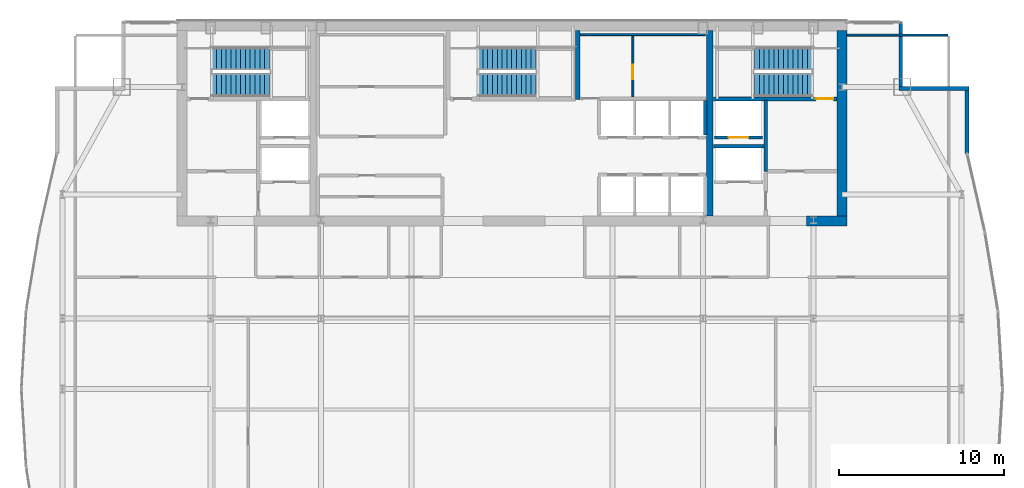
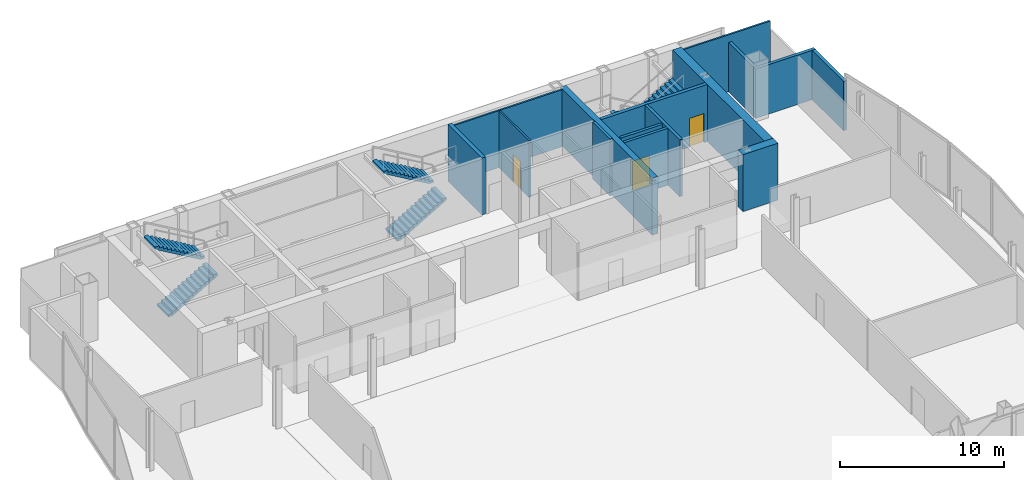
# One storey, part 26 of 28: 15 walls, 6 stair flights, 3 doors, 3 openings, 3 elements without a shape of their own.
"""IFC4 building model written with IfcOpenShell, lengths in metres."""

from ifc_helpers import new_model, si_unit, direction, frame, frame_2d, origin, place, context, subcontext, project, spatial, polyline, rectangle, outline, extrude, material, layer, layer_set, type_object, element, fill, aggregate, save


model = new_model("IFC4")

# Units and contexts
model_context = context("Model", 3, precision=1e-05, world=origin(), true_north=direction((0.0, 1.0)))
body_context = subcontext(model_context, "Body", "Model", "MODEL_VIEW")
ifc_project = project(units=[si_unit("LENGTHUNIT", "METRE"), si_unit("AREAUNIT", "SQUARE_METRE"), si_unit("VOLUMEUNIT", "CUBIC_METRE"), si_unit("PLANEANGLEUNIT", "RADIAN"), si_unit("MASSUNIT", "GRAM", prefix="KILO")], contexts=[model_context])

# Site, building, storey
site_placement = place(None, origin())
site = spatial("IfcSite", under=ifc_project, at=site_placement, CompositionType="ELEMENT")
building_placement = place(site_placement, origin())
building = spatial("IfcBuilding", under=site, at=building_placement, Name="Khoronbel Lancet Exchange", CompositionType="ELEMENT")
storey_placement = place(building_placement, frame((0.0, 0.0, 265.39990234375)))
storey = spatial("IfcBuildingStorey", under=building, at=storey_placement, Name="L68", CompositionType="ELEMENT", Elevation=265.39990234375)

# Walls
ifc_material_1 = material(Name="Concrete C60/75", Category="concrete")
ifc_layer_1 = layer(ifc_material_1, 0.60009765625, Name="Concrete C60/75")
ifc_layer_set_1 = layer_set([ifc_layer_1], Name="Concrete C60/75")
wall_type_1 = type_object("IfcWallType", Name="WL-CW3", PredefinedType="SHEAR", material=ifc_layer_set_1)
wall_1_placement = place(storey_placement, frame((56.39990234375, 53.10009765625, 0.0), z_axis=(0.0, 0.0, 1.0), x_axis=(0.0, -1.0, 0.0)))
element("IfcWall", 1, at=wall_1_placement, inside=storey, type_object=wall_type_1, Name="Level L68 rear core east shear wall", PredefinedType="SHEAR", context=body_context, shape_type="SweptSolid", body=[
    extrude(rectangle(XDim=11.2001953125, YDim=0.60009765625, at=frame_2d((5.60009765625, 0.0))), origin(), (0.0, 0.0, 1.0), 4.239990234375),
])
wall_2_placement = place(storey_placement, frame((56.699951171875, 41.60009765625, 0.0), z_axis=(0.0, 0.0, 1.0), x_axis=(-1.0, 0.0, 0.0)))
element("IfcWall", 2, at=wall_2_placement, inside=storey, type_object=wall_type_1, Name="Level L68 rear core south shear wall pier P5", PredefinedType="SHEAR", context=body_context, shape_type="SweptSolid", body=[
    extrude(rectangle(XDim=2.449951171875, YDim=0.60009765625, at=frame_2d((1.22509765625, 0.0))), origin(), (0.0, 0.0, 1.0), 4.239990234375),
])
ifc_material_2 = material(Name="Precast concrete C40/50", Category="concrete")
ifc_layer_2 = layer(ifc_material_2, 0.25, Name="Precast concrete C40/50")
ifc_layer_set_2 = layer_set([ifc_layer_2], Name="Precast concrete C40/50")
wall_type_2 = type_object("IfcWallType", Name="WL-EXT250", PredefinedType="SOLIDWALL", material=ifc_layer_set_2)
wall_3_placement = place(storey_placement, frame((59.9599609375, 53.6298828125, 0.0), z_axis=(0.0, 0.0, 1.0), x_axis=(0.0, -1.0, 0.0)))
element("IfcWall", 3, at=wall_3_placement, inside=storey, type_object=wall_type_2, Name="Level L68 notched-corner limestone pier 14", PredefinedType="SOLIDWALL", context=body_context, shape_type="SweptSolid", body=[
    extrude(rectangle(XDim=3.909912109375, YDim=0.219970703125, at=frame_2d((1.955078125, 0.0))), origin(), (0.0, 0.0, 1.0), 3.68017578125),
])
wall_4_placement = place(storey_placement, frame((59.85009765625, 49.610107421875, 0.0), z_axis=(0.0, 0.0, 1.0), x_axis=(1.0, 0.0, 0.0)))
element("IfcWall", 4, at=wall_4_placement, inside=storey, type_object=wall_type_2, Name="Level L68 notched-corner limestone pier 15", PredefinedType="SOLIDWALL", context=body_context, shape_type="SweptSolid", body=[
    extrude(rectangle(XDim=4.219970703125, YDim=0.219970703125, at=frame_2d((2.10986328125, 0.0))), origin(), (0.0, 0.0, 1.0), 3.68017578125),
])
wall_5_placement = place(storey_placement, frame((63.9599609375, 49.5, 0.0), z_axis=(0.0, 0.0, 1.0), x_axis=(0.0, -1.0, 0.0)))
element("IfcWall", 5, at=wall_5_placement, inside=storey, type_object=wall_type_2, Name="Level L68 notched-corner limestone pier 16", PredefinedType="SOLIDWALL", context=body_context, shape_type="SweptSolid", body=[
    extrude(rectangle(XDim=3.830078125, YDim=0.219970703125, at=frame_2d((1.9150390625, 0.0))), origin(), (0.0, 0.0, 1.0), 3.68017578125),
])
ifc_material_3 = material(Name="Acoustic Metal-Stud & Mineral-Wool Gypsum Partition 120 mm", Category="gypsum")
ifc_layer_3 = layer(ifc_material_3, 0.1201171875, Name="Acoustic Metal-Stud & Mineral-Wool Gypsum Partition 120 mm")
ifc_layer_set_3 = layer_set([ifc_layer_3], Name="Acoustic Metal-Stud & Mineral-Wool Gypsum Partition 120 mm")
wall_type_3 = type_object("IfcWallType", Name="WL-PRT120", PredefinedType="PARTITIONING", material=ifc_layer_set_3)
wall_6_placement = place(storey_placement, frame((56.699951171875, 52.840087890625, 0.0), z_axis=(0.0, 0.0, 1.0), x_axis=(1.0, 0.0, 0.0)))
element("IfcWall", 6, at=wall_6_placement, inside=storey, type_object=wall_type_3, Name="Level L68 interior partition PW-LIN-NE", PredefinedType="PARTITIONING", context=body_context, shape_type="SweptSolid", body=[
    extrude(rectangle(XDim=6.10498046875, YDim=0.1201171875, at=frame_2d((3.052490234375, 0.0))), origin(), (0.0, 0.0, 1.0), 4.239990234375),
])
ifc_material_4 = material(Name="Fire-Rated Metal-Stud & Mineral-Wool Gypsum Partition 120 mm", Category="gypsum")
ifc_layer_4 = layer(ifc_material_4, 0.1201171875, Name="Fire-Rated Metal-Stud & Mineral-Wool Gypsum Partition 120 mm")
ifc_layer_set_4 = layer_set([ifc_layer_4], Name="Fire-Rated Metal-Stud & Mineral-Wool Gypsum Partition 120 mm")
wall_type_4 = type_object("IfcWallType", Name="WL-PRT120F", PredefinedType="PARTITIONING", material=ifc_layer_set_4)
wall_7_placement = place(storey_placement, frame((40.580078125, 52.860107421875, 0.0), z_axis=(0.0, 0.0, 1.0), x_axis=(1.0, 0.0, 0.0)))
element("IfcWall", 7, at=wall_7_placement, inside=storey, type_object=wall_type_4, Name="Level L68 interior partition CW-SUP-NE-N", PredefinedType="PARTITIONING", context=body_context, shape_type="SweptSolid", body=[
    extrude(rectangle(XDim=7.559814453125, YDim=0.1201171875, at=frame_2d((3.77978515625, 0.0))), origin(), (0.0, 0.0, 1.0), 4.239990234375),
])

# Wall, opening, door
wall_8_placement = place(storey_placement, frame((43.755126953125, 49.10498046875, 0.0), z_axis=(0.0, 0.0, 1.0), x_axis=(0.0, 1.0, 0.0)))
wall_8 = element("IfcWall", 8, at=wall_8_placement, inside=storey, type_object=wall_type_4, Name="Level L68 interior partition CW-SUP-NE-M", PredefinedType="PARTITIONING", context=body_context, shape_type="SweptSolid", body=[
    extrude(rectangle(XDim=3.68994140625, YDim=0.1201171875, at=frame_2d((1.844970703125, 0.0))), origin(), (0.0, 0.0, 1.0), 4.239990234375),
])
opening_1_placement = place(wall_8_placement, frame((1.050048828125, 0.0, 0.0)))
opening_1 = element("IfcOpeningElement", 9, at=opening_1_placement, cuts=wall_8, Name="Opening FD4", PredefinedType="OPENING", context=body_context, shape_type="SweptSolid", body=[
    extrude(rectangle(XDim=0.89990234375, YDim=2.050048828125, at=frame_2d((0.449951171875, 1.02490234375))), frame((0.0, 0.070068359375, 0.0), z_axis=(0.0, -1.0, 0.0), x_axis=(1.0, 0.0, 0.0)), (0.0, 0.0, 1.0), 0.14013671875),
])
ifc_material_5 = material(Name="Fire-Rated Steel Core Support Door Assembly", Category="steel")
door_type_1 = type_object("IfcDoorType", Name="DR-FD4", OperationType="NOTDEFINED", PredefinedType="DOOR", material=ifc_material_5)
door_1_placement = place(opening_1_placement, origin())
door_1 = element("IfcDoor", 10, at=door_1_placement, inside=storey, type_object=door_type_1, Name="Core NE inner support door L68-1", OperationType="SINGLE_SWING_LEFT", OverallHeight=2.050048828125, OverallWidth=0.89990234375, PredefinedType="DOOR", context=body_context, shape_type="SweptSolid", body=[
    extrude(rectangle(XDim=0.89990234375, YDim=2.050048828125, at=frame_2d((0.449951171875, 1.02490234375))), frame((0.0, 0.02490234375, 0.0), z_axis=(0.0, -1.0, 0.0), x_axis=(1.0, 0.0, 0.0)), (0.0, 0.0, 1.0), 0.050048828125),
])
fill(opening_1, door_1)

ifc_material_6 = material(Name="Autoclaved Aerated Concrete Blockwork 200 mm", Category="masonry")
ifc_layer_5 = layer(ifc_material_6, 0.199951171875, Name="Autoclaved Aerated Concrete Blockwork 200 mm")
ifc_layer_set_5 = layer_set([ifc_layer_5], Name="Autoclaved Aerated Concrete Blockwork 200 mm")
wall_type_5 = type_object("IfcWallType", Name="WL-PRT200", PredefinedType="PARTITIONING", material=ifc_layer_set_5)
wall_9_placement = place(storey_placement, frame((51.610107421875, 46.64990234375, 0.0), z_axis=(0.0, 0.0, 1.0), x_axis=(-1.0, 0.0, 0.0)))
wall_9 = element("IfcWall", 11, at=wall_9_placement, inside=storey, type_object=wall_type_5, Name="Level L68 elevator hoistway landing front wall FFLE", PredefinedType="PARTITIONING", context=body_context, shape_type="SweptSolid", body=[
    extrude(rectangle(XDim=2.920166015625, YDim=0.199951171875, at=frame_2d((1.4599609375, 0.0))), origin(), (0.0, 0.0, 1.0), 4.239990234375),
])
opening_2_placement = place(wall_9_placement, frame((0.860107421875, 0.0, 0.0)))
opening_2 = element("IfcOpeningElement", 12, at=opening_2_placement, cuts=wall_9, Name="Opening LD-FFL2", PredefinedType="OPENING", context=body_context, shape_type="SweptSolid", body=[
    extrude(rectangle(XDim=1.199951171875, YDim=2.179931640625, at=frame_2d((0.60009765625, 1.08984375))), frame((0.0, 0.10986328125, 0.0), z_axis=(0.0, -1.0, 0.0), x_axis=(1.0, 0.0, 0.0)), (0.0, 0.0, 1.0), 0.219970703125),
])
ifc_material_7 = material(Name="Fire-Rated Stainless Bi-Parting Firefighting Lift Door", Category="steel")
door_type_2 = type_object("IfcDoorType", Name="DR-LD-FFL", OperationType="NOTDEFINED", PredefinedType="DOOR", material=ifc_material_7)
door_2_placement = place(opening_2_placement, origin())
door_2 = element("IfcDoor", 13, at=door_2_placement, inside=storey, type_object=door_type_2, Name="Elevator landing sliding door LD-FFL2 L68", OperationType="SLIDING_TO_LEFT", OverallHeight=2.179931640625, OverallWidth=1.199951171875, PredefinedType="DOOR", context=body_context, shape_type="SweptSolid", body=[
    extrude(rectangle(XDim=1.199951171875, YDim=2.179931640625, at=frame_2d((0.60009765625, 1.08984375))), frame((0.0, 0.02490234375, 0.0), z_axis=(0.0, -1.0, 0.0), x_axis=(1.0, 0.0, 0.0)), (0.0, 0.0, 1.0), 0.050048828125),
])
fill(opening_2, door_2)

# Walls
wall_10_placement = place(storey_placement, frame((51.800048828125, 44.60009765625, 0.0), z_axis=(0.0, 0.0, 1.0), x_axis=(0.0, 1.0, 0.0)))
element("IfcWall", 14, at=wall_10_placement, inside=storey, type_object=wall_type_5, Name="Level L68 interior partition CW-FFLE-W", PredefinedType="PARTITIONING", context=body_context, shape_type="SweptSolid", body=[
    extrude(rectangle(XDim=4.2998046875, YDim=0.199951171875, at=frame_2d((2.14990234375, 0.0))), origin(), (0.0, 0.0, 1.0), 4.239990234375),
])
wall_11_placement = place(storey_placement, frame((48.6298828125, 46.1201171875, 0.0), z_axis=(0.0, 0.0, 1.0), x_axis=(1.0, 0.0, 0.0)))
element("IfcWall", 15, at=wall_11_placement, inside=storey, type_object=wall_type_5, Name="Level L68 interior partition CW-FFL2-S", PredefinedType="PARTITIONING", context=body_context, shape_type="SweptSolid", body=[
    extrude(rectangle(XDim=3.070068359375, YDim=0.199951171875, at=frame_2d((1.53515625, 0.0))), origin(), (0.0, 0.0, 1.0), 4.239990234375),
])
wall_12_placement = place(storey_placement, frame((48.139892578125, 46.800048828125, 0.0), z_axis=(0.0, 0.0, 1.0), x_axis=(0.0, 1.0, 0.0)))
element("IfcWall", 16, at=wall_12_placement, inside=storey, type_object=wall_type_5, Name="Level L68 interior partition CW-PH-E", PredefinedType="PARTITIONING", context=body_context, shape_type="SweptSolid", body=[
    extrude(rectangle(XDim=2.094970703125, YDim=0.199951171875, at=frame_2d((1.04736328125, 0.0))), origin(), (0.0, 0.0, 1.0), 4.239990234375),
])
ifc_layer_6 = layer(ifc_material_1, 0.39990234375, Name="Concrete C60/75")
ifc_layer_set_6 = layer_set([ifc_layer_6], Name="Concrete C60/75")
wall_type_6 = type_object("IfcWallType", Name="WL-SW2", PredefinedType="SHEAR", material=ifc_layer_set_6)
wall_13_placement = place(storey_placement, frame((48.39990234375, 41.89990234375, 0.0), z_axis=(0.0, 0.0, 1.0), x_axis=(0.0, 1.0, 0.0)))
element("IfcWall", 17, at=wall_13_placement, inside=storey, type_object=wall_type_6, Name="Level L68 rear core internal spine shear wall IE", PredefinedType="SHEAR", context=body_context, shape_type="SweptSolid", body=[
    extrude(rectangle(XDim=11.2001953125, YDim=0.39990234375, at=frame_2d((5.60009765625, 0.0))), origin(), (0.0, 0.0, 1.0), 4.239990234375),
])
ifc_layer_7 = layer(ifc_material_1, 0.260009765625, Name="Concrete C60/75")
ifc_layer_set_7 = layer_set([ifc_layer_7], Name="Concrete C60/75")
wall_type_7 = type_object("IfcWallType", Name="WL-SW3", PredefinedType="SHEAR", material=ifc_layer_set_7)
wall_14_placement = place(storey_placement, frame((40.419921875, 48.949951171875, 0.0), z_axis=(0.0, 0.0, 1.0), x_axis=(0.0, 1.0, 0.0)))
element("IfcWall", 18, at=wall_14_placement, inside=storey, type_object=wall_type_7, Name="Level L68 central stairwell structural shear wall ST3E", PredefinedType="SHEAR", context=body_context, shape_type="SweptSolid", body=[
    extrude(rectangle(XDim=4.150146484375, YDim=0.260009765625, at=frame_2d((2.0751953125, 0.0))), origin(), (0.0, 0.0, 1.0), 4.239990234375),
])

# Wall, opening, door
wall_15_placement = place(storey_placement, frame((48.6298828125, 48.97998046875, 0.0), z_axis=(0.0, 0.0, 1.0), x_axis=(1.0, 0.0, 0.0)))
wall_15 = element("IfcWall", 19, at=wall_15_placement, inside=storey, type_object=wall_type_7, Name="Level L68 east stairwell structural south wall", PredefinedType="SHEAR", context=body_context, shape_type="SweptSolid", body=[
    extrude(rectangle(XDim=7.47021484375, YDim=0.239990234375, at=frame_2d((3.735107421875, 0.0))), origin(), (0.0, 0.0, 1.0), 4.239990234375),
])
opening_3_placement = place(wall_15_placement, frame((6.199951171875, 0.0, 0.0)))
opening_3 = element("IfcOpeningElement", 20, at=opening_3_placement, cuts=wall_15, Name="Opening SD1", PredefinedType="OPENING", context=body_context, shape_type="SweptSolid", body=[
    extrude(rectangle(XDim=1.050048828125, YDim=2.14990234375, at=frame_2d((0.52490234375, 1.074951171875))), frame((0.0, 0.1298828125, 0.0), z_axis=(0.0, -1.0, 0.0), x_axis=(1.0, 0.0, 0.0)), (0.0, 0.0, 1.0), 0.260009765625),
])
ifc_material_8 = material(Name="Fire-Rated Steel Stairwell Door Assembly", Category="steel")
door_type_3 = type_object("IfcDoorType", Name="DR-SD1", OperationType="NOTDEFINED", PredefinedType="DOOR", material=ifc_material_8)
door_3_placement = place(opening_3_placement, origin())
door_3 = element("IfcDoor", 21, at=door_3_placement, inside=storey, type_object=door_type_3, Name="Protected exit stair ST2 door L68", OperationType="SINGLE_SWING_RIGHT", OverallHeight=2.14990234375, OverallWidth=1.050048828125, PredefinedType="DOOR", context=body_context, shape_type="SweptSolid", body=[
    extrude(rectangle(XDim=1.050048828125, YDim=2.14990234375, at=frame_2d((0.52490234375, 1.074951171875))), frame((0.0, 0.02490234375, 0.0), z_axis=(0.0, -1.0, 0.0), x_axis=(1.0, 0.0, 0.0)), (0.0, 0.0, 1.0), 0.050048828125),
])
fill(opening_3, door_3)

# Stair, stair flights
ifc_material_9 = material(Name="Concrete C40/50", Category="concrete")
stair_type = type_object("IfcStairType", Name="STR-CORE150", PredefinedType="HALF_TURN_STAIR", material=ifc_material_9)
stair_1_placement = place(storey_placement, origin())
stair_1 = element("IfcStair", 22, at=stair_1_placement, inside=storey, type_object=stair_type, Name="L68 Protected Exit Stair ST1", PredefinedType="HALF_TURN_STAIR")
stair_flight_type = type_object("IfcStairFlightType", Name="STF-150", PredefinedType="STRAIGHT", material=ifc_material_9)
stair_flight_1_placement = place(storey_placement, frame((18.300048828125, 49.81005859375, 0.0), z_axis=(0.0, 0.0, 1.0), x_axis=(1.0, 0.0, 0.0)))
stair_flight_1 = element("IfcStairFlight", 23, at=stair_flight_1_placement, type_object=stair_flight_type, Name="ST1 flight 1", NumberOfRisers=13, NumberOfTreads=12, PredefinedType="STRAIGHT", RiserHeight=0.169230769, TreadLength=0.29, context=body_context, shape_type="SweptSolid", body=[
    extrude(outline(polyline([(0.0, 0.0), (0.0, 0.169189453125), (0.2900390625, 0.169189453125), (0.2900390625, 0.33837890625), (0.580078125, 0.33837890625), (0.580078125, 0.5078125), (0.8701171875, 0.5078125), (0.8701171875, 0.677001953125), (1.159912109375, 0.677001953125), (1.159912109375, 0.84619140625), (1.449951171875, 0.84619140625), (1.449951171875, 1.015380859375), (1.739990234375, 1.015380859375), (1.739990234375, 1.1845703125), (2.030029296875, 1.1845703125), (2.030029296875, 1.353759765625), (2.320068359375, 1.353759765625), (2.320068359375, 1.523193359375), (2.610107421875, 1.523193359375), (2.610107421875, 1.6923828125), (2.89990234375, 1.6923828125), (2.89990234375, 1.861572265625), (3.18994140625, 1.861572265625), (3.18994140625, 2.03076171875), (3.47998046875, 2.03076171875), (3.47998046875, 2.199951171875), (3.47998046875, 1.857177734375), (0.29736328125, 0.0), (0.0, 0.0)])), frame((0.0, 0.68994140625, 0.0), z_axis=(0.0, -1.0, 0.0), x_axis=(1.0, 0.0, 0.0)), (0.0, 0.0, 1.0), 1.3798828125),
])
stair_flight_2_placement = place(storey_placement, frame((21.780029296875, 51.409912109375, 2.2001953125), z_axis=(0.0, 0.0, 1.0), x_axis=(-1.0, 0.0, 0.0)))
stair_flight_2 = element("IfcStairFlight", 24, at=stair_flight_2_placement, type_object=stair_flight_type, Name="ST1 flight 2", NumberOfRisers=13, NumberOfTreads=12, PredefinedType="STRAIGHT", RiserHeight=0.169230769, TreadLength=0.29, context=body_context, shape_type="SweptSolid", body=[
    extrude(outline(polyline([(0.0, 0.0), (0.0, 0.169189453125), (0.2900390625, 0.169189453125), (0.2900390625, 0.33837890625), (0.580078125, 0.33837890625), (0.580078125, 0.5078125), (0.8701171875, 0.5078125), (0.8701171875, 0.677001953125), (1.159912109375, 0.677001953125), (1.159912109375, 0.84619140625), (1.449951171875, 0.84619140625), (1.449951171875, 1.015380859375), (1.739990234375, 1.015380859375), (1.739990234375, 1.1845703125), (2.030029296875, 1.1845703125), (2.030029296875, 1.353759765625), (2.320068359375, 1.353759765625), (2.320068359375, 1.523193359375), (2.610107421875, 1.523193359375), (2.610107421875, 1.6923828125), (2.89990234375, 1.6923828125), (2.89990234375, 1.861572265625), (3.18994140625, 1.861572265625), (3.18994140625, 2.03076171875), (3.47998046875, 2.03076171875), (3.47998046875, 2.199951171875), (3.47998046875, 1.857177734375), (0.29736328125, 0.0), (0.0, 0.0)])), frame((0.0, 0.68994140625, 0.0), z_axis=(0.0, -1.0, 0.0), x_axis=(1.0, 0.0, 0.0)), (0.0, 0.0, 1.0), 1.3798828125),
])
aggregate(stair_1, [stair_flight_1, stair_flight_2])

stair_2_placement = place(storey_placement, origin())
stair_2 = element("IfcStair", 25, at=stair_2_placement, inside=storey, type_object=stair_type, Name="L68 Protected Exit Stair ST2", PredefinedType="HALF_TURN_STAIR")
stair_flight_3_placement = place(storey_placement, frame((54.60009765625, 51.409912109375, 0.0), z_axis=(0.0, 0.0, 1.0), x_axis=(-1.0, 0.0, 0.0)))
stair_flight_3 = element("IfcStairFlight", 26, at=stair_flight_3_placement, type_object=stair_flight_type, Name="ST2 flight 1", NumberOfRisers=13, NumberOfTreads=12, PredefinedType="STRAIGHT", RiserHeight=0.169230769, TreadLength=0.29, context=body_context, shape_type="SweptSolid", body=[
    extrude(outline(polyline([(0.0, 0.0), (0.0, 0.169189453125), (0.2900390625, 0.169189453125), (0.2900390625, 0.33837890625), (0.580078125, 0.33837890625), (0.580078125, 0.5078125), (0.8701171875, 0.5078125), (0.8701171875, 0.677001953125), (1.159912109375, 0.677001953125), (1.159912109375, 0.84619140625), (1.449951171875, 0.84619140625), (1.449951171875, 1.015380859375), (1.739990234375, 1.015380859375), (1.739990234375, 1.1845703125), (2.030029296875, 1.1845703125), (2.030029296875, 1.353759765625), (2.320068359375, 1.353759765625), (2.320068359375, 1.523193359375), (2.610107421875, 1.523193359375), (2.610107421875, 1.6923828125), (2.89990234375, 1.6923828125), (2.89990234375, 1.861572265625), (3.18994140625, 1.861572265625), (3.18994140625, 2.03076171875), (3.47998046875, 2.03076171875), (3.47998046875, 2.199951171875), (3.47998046875, 1.857177734375), (0.29736328125, 0.0), (0.0, 0.0)])), frame((0.0, 0.68994140625, 0.0), z_axis=(0.0, -1.0, 0.0), x_axis=(1.0, 0.0, 0.0)), (0.0, 0.0, 1.0), 1.3798828125),
])
stair_flight_4_placement = place(storey_placement, frame((51.1201171875, 49.81005859375, 2.2001953125), z_axis=(0.0, 0.0, 1.0), x_axis=(1.0, 0.0, 0.0)))
stair_flight_4 = element("IfcStairFlight", 27, at=stair_flight_4_placement, type_object=stair_flight_type, Name="ST2 flight 2", NumberOfRisers=13, NumberOfTreads=12, PredefinedType="STRAIGHT", RiserHeight=0.169230769, TreadLength=0.29, context=body_context, shape_type="SweptSolid", body=[
    extrude(outline(polyline([(0.0, 0.0), (0.0, 0.169189453125), (0.2900390625, 0.169189453125), (0.2900390625, 0.33837890625), (0.580078125, 0.33837890625), (0.580078125, 0.5078125), (0.8701171875, 0.5078125), (0.8701171875, 0.677001953125), (1.159912109375, 0.677001953125), (1.159912109375, 0.84619140625), (1.449951171875, 0.84619140625), (1.449951171875, 1.015380859375), (1.739990234375, 1.015380859375), (1.739990234375, 1.1845703125), (2.030029296875, 1.1845703125), (2.030029296875, 1.353759765625), (2.320068359375, 1.353759765625), (2.320068359375, 1.523193359375), (2.610107421875, 1.523193359375), (2.610107421875, 1.6923828125), (2.89990234375, 1.6923828125), (2.89990234375, 1.861572265625), (3.18994140625, 1.861572265625), (3.18994140625, 2.03076171875), (3.47998046875, 2.03076171875), (3.47998046875, 2.199951171875), (3.47998046875, 1.857177734375), (0.29736328125, 0.0), (0.0, 0.0)])), frame((0.0, 0.68994140625, 0.0), z_axis=(0.0, -1.0, 0.0), x_axis=(1.0, 0.0, 0.0)), (0.0, 0.0, 1.0), 1.3798828125),
])
aggregate(stair_2, [stair_flight_3, stair_flight_4])

stair_3_placement = place(storey_placement, origin())
stair_3 = element("IfcStair", 28, at=stair_3_placement, inside=storey, type_object=stair_type, Name="L68 Protected Exit Stair ST3", PredefinedType="HALF_TURN_STAIR")
stair_flight_5_placement = place(storey_placement, frame((34.39990234375, 49.81005859375, 0.0), z_axis=(0.0, 0.0, 1.0), x_axis=(1.0, 0.0, 0.0)))
stair_flight_5 = element("IfcStairFlight", 29, at=stair_flight_5_placement, type_object=stair_flight_type, Name="ST3 flight 1", NumberOfRisers=13, NumberOfTreads=12, PredefinedType="STRAIGHT", RiserHeight=0.169230769, TreadLength=0.29, context=body_context, shape_type="SweptSolid", body=[
    extrude(outline(polyline([(0.0, 0.0), (0.0, 0.169189453125), (0.2900390625, 0.169189453125), (0.2900390625, 0.33837890625), (0.580078125, 0.33837890625), (0.580078125, 0.5078125), (0.8701171875, 0.5078125), (0.8701171875, 0.677001953125), (1.159912109375, 0.677001953125), (1.159912109375, 0.84619140625), (1.449951171875, 0.84619140625), (1.449951171875, 1.015380859375), (1.739990234375, 1.015380859375), (1.739990234375, 1.1845703125), (2.030029296875, 1.1845703125), (2.030029296875, 1.353759765625), (2.320068359375, 1.353759765625), (2.320068359375, 1.523193359375), (2.610107421875, 1.523193359375), (2.610107421875, 1.6923828125), (2.89990234375, 1.6923828125), (2.89990234375, 1.861572265625), (3.18994140625, 1.861572265625), (3.18994140625, 2.03076171875), (3.47998046875, 2.03076171875), (3.47998046875, 2.199951171875), (3.47998046875, 1.857177734375), (0.29736328125, 0.0), (0.0, 0.0)])), frame((0.0, 0.68994140625, 0.0), z_axis=(0.0, -1.0, 0.0), x_axis=(1.0, 0.0, 0.0)), (0.0, 0.0, 1.0), 1.3798828125),
])
stair_flight_6_placement = place(storey_placement, frame((37.8798828125, 51.409912109375, 2.2001953125), z_axis=(0.0, 0.0, 1.0), x_axis=(-1.0, 0.0, 0.0)))
stair_flight_6 = element("IfcStairFlight", 30, at=stair_flight_6_placement, type_object=stair_flight_type, Name="ST3 flight 2", NumberOfRisers=13, NumberOfTreads=12, PredefinedType="STRAIGHT", RiserHeight=0.169230769, TreadLength=0.29, context=body_context, shape_type="SweptSolid", body=[
    extrude(outline(polyline([(0.0, 0.0), (0.0, 0.169189453125), (0.2900390625, 0.169189453125), (0.2900390625, 0.33837890625), (0.580078125, 0.33837890625), (0.580078125, 0.5078125), (0.8701171875, 0.5078125), (0.8701171875, 0.677001953125), (1.159912109375, 0.677001953125), (1.159912109375, 0.84619140625), (1.449951171875, 0.84619140625), (1.449951171875, 1.015380859375), (1.739990234375, 1.015380859375), (1.739990234375, 1.1845703125), (2.030029296875, 1.1845703125), (2.030029296875, 1.353759765625), (2.320068359375, 1.353759765625), (2.320068359375, 1.523193359375), (2.610107421875, 1.523193359375), (2.610107421875, 1.6923828125), (2.89990234375, 1.6923828125), (2.89990234375, 1.861572265625), (3.18994140625, 1.861572265625), (3.18994140625, 2.03076171875), (3.47998046875, 2.03076171875), (3.47998046875, 2.199951171875), (3.47998046875, 1.857177734375), (0.29736328125, 0.0), (0.0, 0.0)])), frame((0.0, 0.68994140625, 0.0), z_axis=(0.0, -1.0, 0.0), x_axis=(1.0, 0.0, 0.0)), (0.0, 0.0, 1.0), 1.3798828125),
])
aggregate(stair_3, [stair_flight_5, stair_flight_6])

save(model, "model.ifc")
